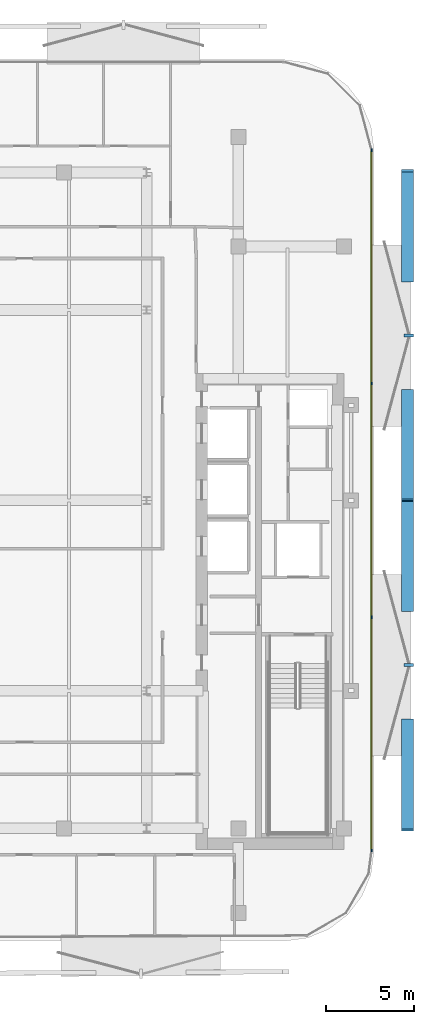
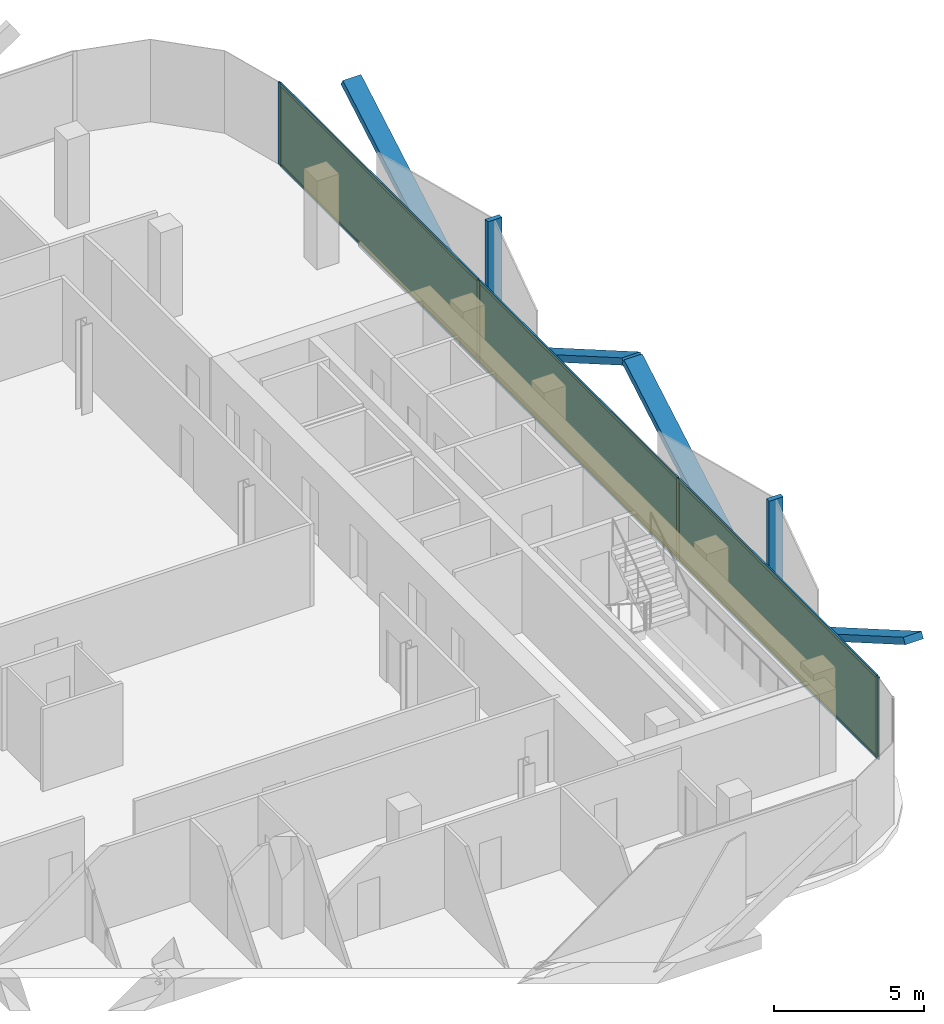
# One storey, part 10 of 14: 16 members, 3 plates, 1 curtain wall.
"""IFC4 building model written with IfcOpenShell, lengths in metres."""

from ifc_helpers import new_model, si_unit, direction, frame, frame_2d, origin, origin_2d, place, context, subcontext, project, spatial, rectangle, extrude, material, layer, layer_set, material_profile, profile_set, type_object, element, aggregate, save


model = new_model("IFC4")

# Units and contexts
model_context = context("Model", 3, precision=1e-05, world=origin(), true_north=direction((0.0, 1.0)))
body_context = subcontext(model_context, "Body", "Model", "MODEL_VIEW")
ifc_project = project(units=[si_unit("LENGTHUNIT", "METRE"), si_unit("AREAUNIT", "SQUARE_METRE"), si_unit("VOLUMEUNIT", "CUBIC_METRE"), si_unit("PLANEANGLEUNIT", "RADIAN"), si_unit("MASSUNIT", "GRAM", prefix="KILO")], contexts=[model_context])

# Member
ifc_material_1 = material(Name="Anodised Bronze Aluminium 6063-T6", Category="aluminium")
ifc_material_profile_1 = material_profile(ifc_material_1, rectangle(XDim=0.260009765625, YDim=0.699951171875, at=origin_2d()))
ifc_profile_set_1 = profile_set([ifc_material_profile_1], Name="Anodised Bronze Aluminium 6063-T6")
member_type_1 = type_object("IfcMemberType", Name="Bronze Diamond Solar-Screen Lattice Rib BDL-700", PredefinedType="MULLION", material=ifc_profile_set_1)
site_placement = place(None, origin())
building_placement = place(site_placement, origin())
storey_placement = place(building_placement, frame((0.0, 0.0, 229.60009765625)))
member_1_placement = place(storey_placement, frame((24.0, 6.230224609375, -0.130126953125), z_axis=(0.0, -0.865840250196, 0.500320558383), x_axis=(0.0, -0.500320558383, -0.865840250196)))
member_1 = element("IfcMember", 1, at=member_1_placement, type_object=member_type_1, Name="L53 Bronze Diamond Solar Screen Lattice Rib 359A", PredefinedType="MULLION", context=body_context, shape_type="SweptSolid", body=[
    extrude(rectangle(XDim=0.260009765625, YDim=0.699951171875, at=origin_2d()), origin(), (0.0, 0.0, 1.0), 7.195556640625),
])

member_2_placement = place(storey_placement, frame((24.0, 12.46044921875, -0.130126953125), z_axis=(0.0, 0.865848743011, 0.500305860676), x_axis=(0.0, 0.500305860676, -0.865848743011)))
member_2 = element("IfcMember", 2, at=member_2_placement, type_object=member_type_1, Name="L53 Bronze Diamond Solar Screen Lattice Rib 359B", PredefinedType="MULLION", context=body_context, shape_type="SweptSolid", body=[
    extrude(rectangle(XDim=0.260009765625, YDim=0.699951171875, at=origin_2d()), origin(), (0.0, 0.0, 1.0), 7.19580078125),
])

member_3_placement = place(storey_placement, frame((24.0, -12.46044921875, -0.130126953125), z_axis=(0.0, -0.865848743011, 0.500305860676), x_axis=(0.0, -0.500305860676, -0.865848743011)))
member_3 = element("IfcMember", 3, at=member_3_placement, type_object=member_type_1, Name="L53 Bronze Diamond Solar Screen Lattice Rib 360A", PredefinedType="MULLION", context=body_context, shape_type="SweptSolid", body=[
    extrude(rectangle(XDim=0.260009765625, YDim=0.699951171875, at=origin_2d()), origin(), (0.0, 0.0, 1.0), 7.19580078125),
])

member_4_placement = place(storey_placement, frame((24.0, -6.230224609375, -0.130126953125), z_axis=(0.0, 0.865840250196, 0.500320558383), x_axis=(0.0, 0.500320558383, -0.865840250196)))
member_4 = element("IfcMember", 4, at=member_4_placement, type_object=member_type_1, Name="L53 Bronze Diamond Solar Screen Lattice Rib 360B", PredefinedType="MULLION", context=body_context, shape_type="SweptSolid", body=[
    extrude(rectangle(XDim=0.260009765625, YDim=0.699951171875, at=origin_2d()), origin(), (0.0, 0.0, 1.0), 7.195556640625),
])

ifc_material_2 = material(Name="Anodised Bronze Aluminium 6063-T6", Category="aluminium")
ifc_material_profile_2 = material_profile(ifc_material_2, rectangle(XDim=0.179931640625, YDim=0.5400390625, at=origin_2d()))
ifc_profile_set_2 = profile_set([ifc_material_profile_2], Name="Anodised Bronze Aluminium 6063-T6")
member_type_2 = type_object("IfcMemberType", Name="Bronze Solar-Screen Vertical Fold Fin BSF-540", PredefinedType="MULLION", material=ifc_profile_set_2)
member_5_placement = place(storey_placement, frame((24.080078125, 9.345458984375, -0.130126953125), z_axis=(0.0, 0.0, 1.0), x_axis=(0.0, -1.0, 0.0)))
member_5 = element("IfcMember", 5, at=member_5_placement, type_object=member_type_2, Name="L53 Bronze Solar Screen Vertical Fin 359", PredefinedType="MULLION", context=body_context, shape_type="SweptSolid", body=[
    extrude(rectangle(XDim=0.179931640625, YDim=0.5400390625, at=origin_2d()), origin(), (0.0, 0.0, 1.0), 3.60009765625),
])

member_6_placement = place(storey_placement, frame((24.080078125, -9.345458984375, -0.130126953125), z_axis=(0.0, 0.0, 1.0), x_axis=(0.0, -1.0, 0.0)))
member_6 = element("IfcMember", 6, at=member_6_placement, type_object=member_type_2, Name="L53 Bronze Solar Screen Vertical Fin 360", PredefinedType="MULLION", context=body_context, shape_type="SweptSolid", body=[
    extrude(rectangle(XDim=0.179931640625, YDim=0.5400390625, at=origin_2d()), origin(), (0.0, 0.0, 1.0), 3.60009765625),
])

ifc_material_3 = material(Name="Anodised Bronze Aluminium 6063-T6", Category="aluminium")
ifc_material_profile_3 = material_profile(ifc_material_3, rectangle(XDim=0.06005859375, YDim=0.159912109375, at=origin_2d()))
ifc_profile_set_3 = profile_set([ifc_material_profile_3], Name="Anodised Bronze Aluminium 6063-T6")
member_type_3 = type_object("IfcMemberType", Name="CW-Z4 Mullion 60x160", PredefinedType="MULLION", material=ifc_profile_set_3)
member_7_placement = place(storey_placement, frame((21.9599609375, 19.86083984375, 0.0), z_axis=(0.0, 0.0, 1.0), x_axis=(1.0, 0.0, 0.0)))
member_7 = element("IfcMember", 7, at=member_7_placement, type_object=member_type_3, Name="CW-Z4 mullion 1", PredefinedType="MULLION", context=body_context, shape_type="SweptSolid", body=[
    extrude(rectangle(XDim=0.06005859375, YDim=0.159912109375, at=origin_2d()), origin(), (0.0, 0.0, 1.0), 3.33984375),
])

member_8_placement = place(storey_placement, frame((21.9599609375, 6.63037109375, 0.0), z_axis=(0.0, 0.0, 1.0), x_axis=(1.0, 0.0, 0.0)))
member_8 = element("IfcMember", 8, at=member_8_placement, type_object=member_type_3, Name="CW-Z4 mullion 2", PredefinedType="MULLION", context=body_context, shape_type="SweptSolid", body=[
    extrude(rectangle(XDim=0.06005859375, YDim=0.159912109375, at=origin_2d()), origin(), (0.0, 0.0, 1.0), 3.33984375),
])

member_9_placement = place(storey_placement, frame((21.9599609375, -6.63037109375, 0.0), z_axis=(0.0, 0.0, 1.0), x_axis=(1.0, 0.0, 0.0)))
member_9 = element("IfcMember", 9, at=member_9_placement, type_object=member_type_3, Name="CW-Z4 mullion 3", PredefinedType="MULLION", context=body_context, shape_type="SweptSolid", body=[
    extrude(rectangle(XDim=0.06005859375, YDim=0.159912109375, at=origin_2d()), origin(), (0.0, 0.0, 1.0), 3.33984375),
])

member_10_placement = place(storey_placement, frame((21.9599609375, -19.86083984375, 0.0), z_axis=(0.0, 0.0, 1.0), x_axis=(1.0, 0.0, 0.0)))
member_10 = element("IfcMember", 10, at=member_10_placement, type_object=member_type_3, Name="CW-Z4 mullion 4", PredefinedType="MULLION", context=body_context, shape_type="SweptSolid", body=[
    extrude(rectangle(XDim=0.06005859375, YDim=0.159912109375, at=origin_2d()), origin(), (0.0, 0.0, 1.0), 3.33984375),
])

ifc_material_4 = material(Name="Anodised Bronze Aluminium 6063-T6", Category="aluminium")
ifc_material_profile_4 = material_profile(ifc_material_4, rectangle(XDim=0.06005859375, YDim=0.125, at=origin_2d()))
ifc_profile_set_4 = profile_set([ifc_material_profile_4], Name="Anodised Bronze Aluminium 6063-T6")
member_type_4 = type_object("IfcMemberType", Name="CW-Z4 Transom 60x125", PredefinedType="USERDEFINED", material=ifc_profile_set_4)
member_11_placement = place(storey_placement, frame((21.9599609375, 19.830810546875, 0.02978515625), z_axis=(0.0, -1.0, 0.0), x_axis=(1.0, 0.0, 0.0)))
member_11 = element("IfcMember", 11, at=member_11_placement, type_object=member_type_4, Name="CW-Z4 transom 1.1", ObjectType="TRANSOM", PredefinedType="USERDEFINED", context=body_context, shape_type="SweptSolid", body=[
    extrude(rectangle(XDim=0.06005859375, YDim=0.125, at=origin_2d()), origin(), (0.0, 0.0, 1.0), 13.170654296875),
])

member_12_placement = place(storey_placement, frame((21.9599609375, 19.830810546875, 3.309814453125), z_axis=(0.0, -1.0, 0.0), x_axis=(1.0, 0.0, 0.0)))
member_12 = element("IfcMember", 12, at=member_12_placement, type_object=member_type_4, Name="CW-Z4 transom 1.2", ObjectType="TRANSOM", PredefinedType="USERDEFINED", context=body_context, shape_type="SweptSolid", body=[
    extrude(rectangle(XDim=0.06005859375, YDim=0.125, at=origin_2d()), origin(), (0.0, 0.0, 1.0), 13.170654296875),
])

member_13_placement = place(storey_placement, frame((21.9599609375, 6.600341796875, 0.02978515625), z_axis=(0.0, -1.0, 0.0), x_axis=(1.0, 0.0, 0.0)))
member_13 = element("IfcMember", 13, at=member_13_placement, type_object=member_type_4, Name="CW-Z4 transom 2.1", ObjectType="TRANSOM", PredefinedType="USERDEFINED", context=body_context, shape_type="SweptSolid", body=[
    extrude(rectangle(XDim=0.06005859375, YDim=0.125, at=origin_2d()), origin(), (0.0, 0.0, 1.0), 13.20068359375),
])

member_14_placement = place(storey_placement, frame((21.9599609375, 6.600341796875, 3.309814453125), z_axis=(0.0, -1.0, 0.0), x_axis=(1.0, 0.0, 0.0)))
member_14 = element("IfcMember", 14, at=member_14_placement, type_object=member_type_4, Name="CW-Z4 transom 2.2", ObjectType="TRANSOM", PredefinedType="USERDEFINED", context=body_context, shape_type="SweptSolid", body=[
    extrude(rectangle(XDim=0.06005859375, YDim=0.125, at=origin_2d()), origin(), (0.0, 0.0, 1.0), 13.20068359375),
])

member_15_placement = place(storey_placement, frame((21.9599609375, -6.66015625, 0.02978515625), z_axis=(0.0, -1.0, 0.0), x_axis=(1.0, 0.0, 0.0)))
member_15 = element("IfcMember", 15, at=member_15_placement, type_object=member_type_4, Name="CW-Z4 transom 3.1", ObjectType="TRANSOM", PredefinedType="USERDEFINED", context=body_context, shape_type="SweptSolid", body=[
    extrude(rectangle(XDim=0.06005859375, YDim=0.125, at=origin_2d()), origin(), (0.0, 0.0, 1.0), 13.170654296875),
])

member_16_placement = place(storey_placement, frame((21.9599609375, -6.66015625, 3.309814453125), z_axis=(0.0, -1.0, 0.0), x_axis=(1.0, 0.0, 0.0)))
member_16 = element("IfcMember", 16, at=member_16_placement, type_object=member_type_4, Name="CW-Z4 transom 3.2", ObjectType="TRANSOM", PredefinedType="USERDEFINED", context=body_context, shape_type="SweptSolid", body=[
    extrude(rectangle(XDim=0.06005859375, YDim=0.125, at=origin_2d()), origin(), (0.0, 0.0, 1.0), 13.170654296875),
])

# Plate
ifc_material_5 = material(Name="Low-E Solar Control Laminated Glass", Category="glass")
ifc_layer_1 = layer(ifc_material_5, 0.030029296875, Name="Low-E Solar Control Laminated Glass")
ifc_layer_set_1 = layer_set([ifc_layer_1], Name="Low-E Solar Control Laminated Glass")
plate_type = type_object("IfcPlateType", Name="CW-Z4 Low-E Double Glazed Panel 30mm", PredefinedType="CURTAIN_PANEL", material=ifc_layer_set_1)
plate_1_placement = place(storey_placement, frame((21.9599609375, 13.24560546875, 0.06005859375), z_axis=(0.0, 0.0, 1.0), x_axis=(0.0, -1.0, 0.0)))
plate_1 = element("IfcPlate", 17, at=plate_1_placement, type_object=plate_type, Name="CW-Z4 panel 1.1", PredefinedType="CURTAIN_PANEL", context=body_context, shape_type="SweptSolid", body=[
    extrude(rectangle(XDim=13.170654296875, YDim=0.030029296875, at=origin_2d()), origin(), (0.0, 0.0, 1.0), 3.219970703125),
])

plate_2_placement = place(storey_placement, frame((21.9599609375, 0.0, 0.06005859375), z_axis=(0.0, 0.0, 1.0), x_axis=(0.0, -1.0, 0.0)))
plate_2 = element("IfcPlate", 18, at=plate_2_placement, type_object=plate_type, Name="CW-Z4 panel 2.1", PredefinedType="CURTAIN_PANEL", context=body_context, shape_type="SweptSolid", body=[
    extrude(rectangle(XDim=13.200439453125, YDim=0.030029296875, at=origin_2d()), origin(), (0.0, 0.0, 1.0), 3.219970703125),
])

plate_3_placement = place(storey_placement, frame((21.9599609375, -13.24560546875, 0.06005859375), z_axis=(0.0, 0.0, 1.0), x_axis=(0.0, -1.0, 0.0)))
plate_3 = element("IfcPlate", 19, at=plate_3_placement, type_object=plate_type, Name="CW-Z4 panel 3.1", PredefinedType="CURTAIN_PANEL", context=body_context, shape_type="SweptSolid", body=[
    extrude(rectangle(XDim=13.170654296875, YDim=0.030029296875, at=origin_2d()), origin(), (0.0, 0.0, 1.0), 3.219970703125),
])

# Site, building, storey
site = spatial("IfcSite", under=ifc_project, at=site_placement, CompositionType="ELEMENT")
building = spatial("IfcBuilding", under=site, at=building_placement, Name="Khairoan Windgate Tower", CompositionType="ELEMENT")
storey = spatial("IfcBuildingStorey", under=building, at=storey_placement, Name="L53", CompositionType="ELEMENT", Elevation=229.60009765625)

# Curtain wall
ifc_material_6 = material(Name="Anodised Bronze Aluminium 6063-T6", Category="aluminium")
ifc_layer_2 = layer(ifc_material_6, 0.159912109375, Name="Anodised Bronze Aluminium 6063-T6")
ifc_layer_set_2 = layer_set([ifc_layer_2], Name="Anodised Bronze Aluminium 6063-T6")
curtain_wall_type = type_object("IfcCurtainWallType", Name="Sky Residence Unitised Curtain Wall CW-Z4", PredefinedType="NOTDEFINED", material=ifc_layer_set_2)
curtain_wall_placement = place(storey_placement, frame((21.9599609375, 19.890869140625, 0.0), z_axis=(0.0, 0.0, 1.0), x_axis=(0.0, -1.0, 0.0)))
curtain_wall = element("IfcCurtainWall", 20, at=curtain_wall_placement, inside=storey, type_object=curtain_wall_type, Name="L53 Unitised Curtain Wall 13", PredefinedType="NOTDEFINED", context=body_context, shape_type="SweptSolid", body=[
    extrude(rectangle(XDim=39.78173828125, YDim=0.010009765625, at=frame_2d((19.890869140625, 0.0))), origin(), (0.0, 0.0, 1.0), 3.33984375),
])

aggregate(curtain_wall, [member_7, member_8, member_9, member_10, member_11, member_12, plate_1, member_13, member_14, plate_2, member_15, member_16, plate_3, member_1, member_2, member_5, member_3, member_4, member_6])

save(model, "model.ifc")
